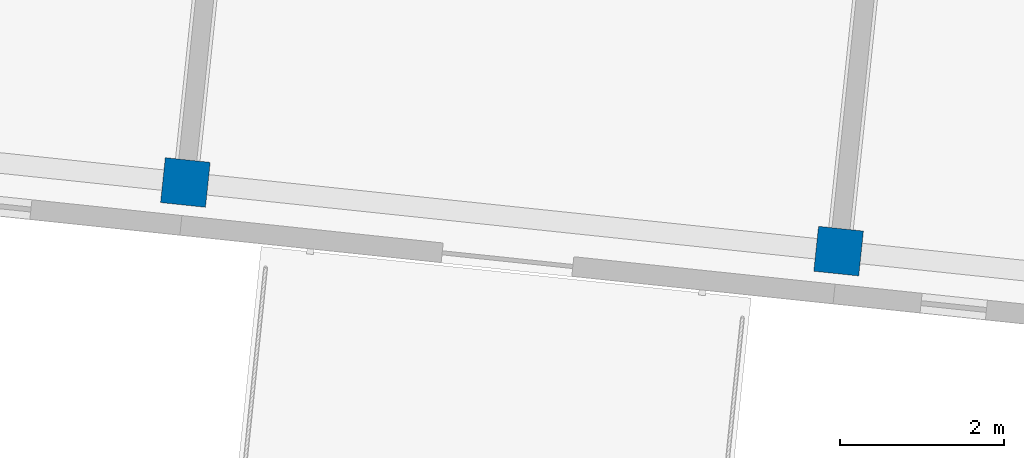
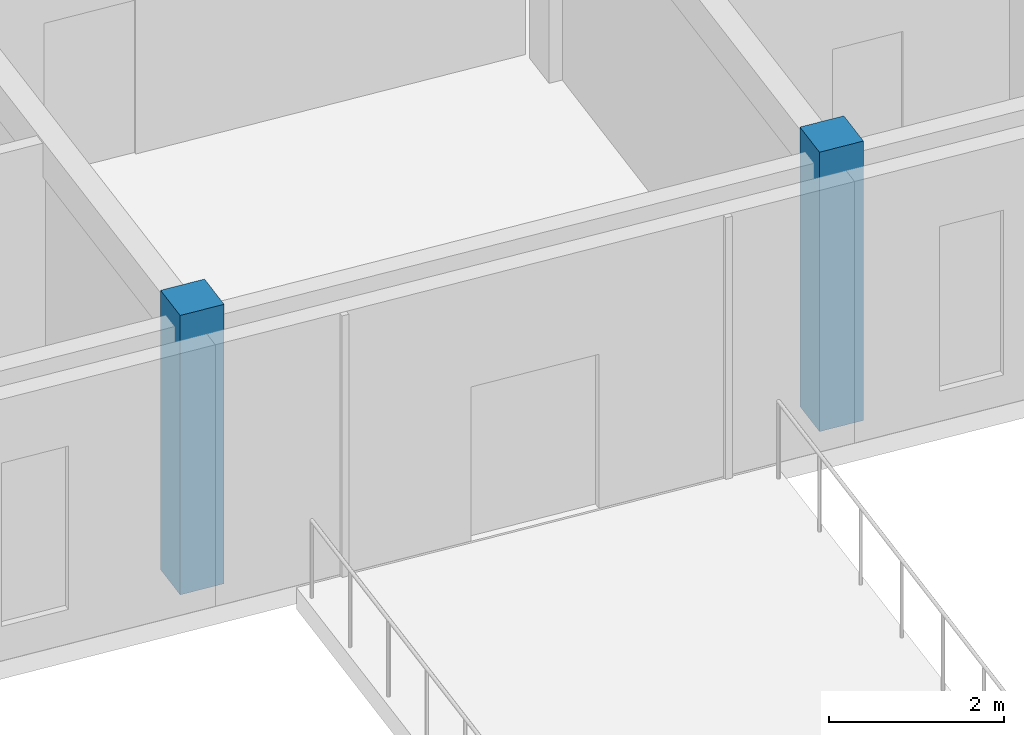
# One storey, part 3 of 150: 2 columns.
"""IFC4 building model written with IfcOpenShell, lengths in metres."""

from ifc_helpers import new_model, si_unit, direction, frame, origin, origin_2d, place, context, subcontext, project, spatial, rectangle, extrude, material, material_profile, profile_set, type_object, element, save


model = new_model("IFC4")

# Units and contexts
model_context = context("Model", 3, precision=1e-05, world=origin(), true_north=direction((0.0, 1.0)))
body_context = subcontext(model_context, "Body", "Model", "MODEL_VIEW")
ifc_project = project(units=[si_unit("LENGTHUNIT", "METRE"), si_unit("AREAUNIT", "SQUARE_METRE"), si_unit("VOLUMEUNIT", "CUBIC_METRE"), si_unit("PLANEANGLEUNIT", "RADIAN"), si_unit("MASSUNIT", "GRAM", prefix="KILO")], contexts=[model_context])

# Site, building, storey
site_placement = place(None, origin())
site = spatial("IfcSite", under=ifc_project, at=site_placement, CompositionType="ELEMENT")
building_placement = place(site_placement, origin())
building = spatial("IfcBuilding", under=site, at=building_placement, Name="Kestramere Prow Commons", CompositionType="ELEMENT")
storey_placement = place(building_placement, frame((0.0, 0.0, 4.5)))
storey = spatial("IfcBuildingStorey", under=building, at=storey_placement, Name="L01", CompositionType="ELEMENT", Elevation=4.5)

# Columns
ifc_material = material(Name="Precast concrete C40/50", Category="concrete")
ifc_material_profile = material_profile(ifc_material, rectangle(XDim=0.550048828125, YDim=0.550048828125, at=origin_2d()), Name="PC-COL 550x550")
ifc_profile_set = profile_set([ifc_material_profile], Name="Precast concrete C40/50")
column_type = type_object("IfcColumnType", Name="C-B2 PC-COL 550x550", PredefinedType="COLUMN", material=ifc_profile_set)
for number, where, z_axis, x_axis, name in (
    (1, (117.9560546875, 93.9638671875, 0.0), (0.0, 0.0, 1.0), (0.994521895368, -0.104528463268, 0.0), "Block B L01 Column 2-1"),
    (2, (125.912353515625, 93.12744140625, 0.0), (0.0, 0.0, 1.0), (0.994521895368, -0.104528463268, 0.0), "Block B L01 Column 3-1"),
):
    element("IfcColumn", number, at=place(storey_placement, frame(where, z_axis=z_axis, x_axis=x_axis)), inside=storey, type_object=column_type, Name=name, PredefinedType="COLUMN", context=body_context, shape_type="SweptSolid", body=[
        extrude(rectangle(XDim=0.550048828125, YDim=0.550048828125, at=origin_2d()), origin(), (0.0, 0.0, 1.0), 3.89990234375),
    ])

save(model, "model.ifc")
